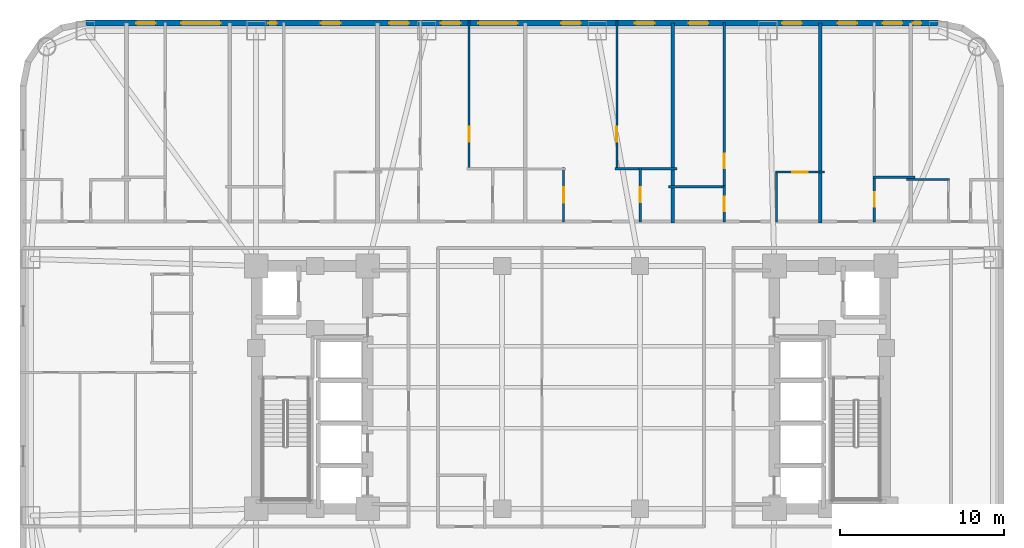
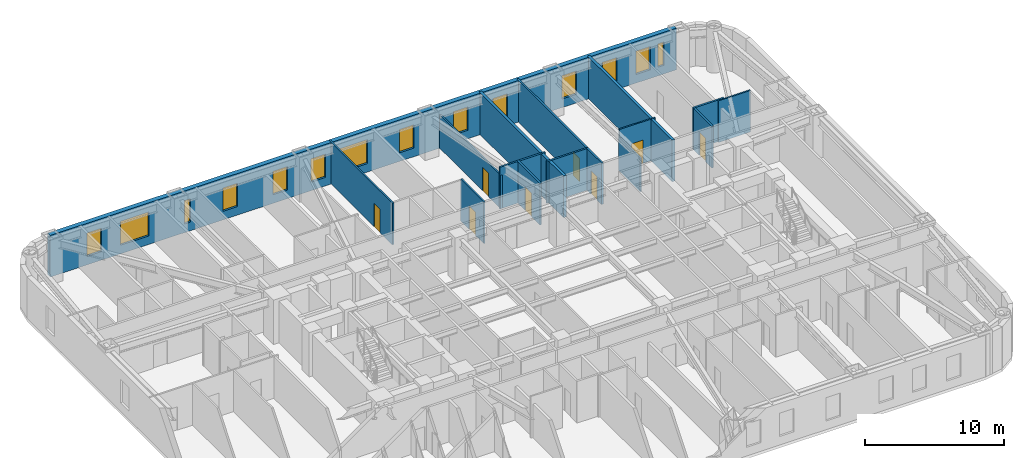
# One storey, part 8 of 11: 16 walls, 14 windows, 8 doors, 22 openings.
"""IFC4 building model written with IfcOpenShell, lengths in metres."""

import ifcopenshell
import ifcopenshell.guid

model = None  # the IFC model being written
_history = None  # IfcOwnerHistory: only IFC2X3 demands one
_inside = {}  # id of a spatial element -> (the spatial element, [elements in it])
_under = {}  # id of a project, library or spatial element -> (it, [spatial elements below it])
_declared = {}  # id of a project -> (the project, [libraries it declares])
_typed = {}  # id of a type object -> (the type object, [elements of that type])
_made_of = {}  # id of a material, layer set ... -> (it, [elements and type objects made of it])


def new_model(schema):
    """Start an empty IFC model of exactly this schema.

    Asked for "IFC4X3", IfcOpenShell would pick the latest addendum, in which some entities
    have other attributes; the version numbers below select the first issue.
    IFC2X3 requires an IfcOwnerHistory on every rooted entity: one is made here for all.
    """
    global model, _history
    if schema == "IFC4X3":
        model = ifcopenshell.file(schema_version=(4, 3, 0, 0))
    else:
        model = ifcopenshell.file(schema=schema)
    _inside.clear()
    _under.clear()
    _declared.clear()
    _typed.clear()
    _made_of.clear()
    _history = None
    if model.schema == "IFC2X3":
        org = make("IfcOrganization", Name="unknown")
        user = make(
            "IfcPersonAndOrganization",
            ThePerson=make("IfcPerson", FamilyName="unknown"),
            TheOrganization=org,
        )
        app = make(
            "IfcApplication",
            ApplicationDeveloper=org,
            Version="unknown",
            ApplicationFullName="unknown",
            ApplicationIdentifier="unknown",
        )
        _history = make(
            "IfcOwnerHistory",
            OwningUser=user,
            OwningApplication=app,
            ChangeAction="ADDED",
            CreationDate=0,
        )
    return model


def make(cls, **values):
    """One entity of the class cls with the attributes given. An attribute that is None is left unset."""
    return model.create_entity(
        cls, **{name: value for name, value in values.items() if value is not None}
    )


def rooted(cls, **values):
    """An entity with a GlobalId (a new one), such as an element, a storey or a relation."""
    return make(cls, GlobalId=ifcopenshell.guid.new(), OwnerHistory=_history, **values)


def si_unit(unit_type, name, prefix=None):
    """IfcSIUnit, for example si_unit("LENGTHUNIT", "METRE", prefix="MILLI")."""
    return make("IfcSIUnit", UnitType=unit_type, Prefix=prefix, Name=name)


def assignment(units):
    """IfcUnitAssignment: the units of a project."""
    return None if units is None else make("IfcUnitAssignment", Units=units)


def point(xyz):
    """IfcCartesianPoint."""
    return None if xyz is None else make("IfcCartesianPoint", Coordinates=xyz)


def direction(xyz):
    """IfcDirection."""
    return None if xyz is None else make("IfcDirection", DirectionRatios=xyz)


def frame(location, z_axis=None, x_axis=None):
    """IfcAxis2Placement3D, a coordinate frame: its origin and axes. An axis left out is left unset."""
    return make(
        "IfcAxis2Placement3D",
        Location=point(location),
        Axis=direction(z_axis),
        RefDirection=direction(x_axis),
    )


def frame_2d(location, x_axis=None):
    """IfcAxis2Placement2D, a coordinate frame in the plane: its origin and x axis."""
    return make(
        "IfcAxis2Placement2D", Location=point(location), RefDirection=direction(x_axis)
    )


def origin():
    """The frame at (0, 0, 0) with its axes left unset."""
    return frame((0.0, 0.0, 0.0))


def place(relative_to, where):
    """IfcLocalPlacement: puts the frame where relative to a parent placement (None: the world)."""
    return make(
        "IfcLocalPlacement", PlacementRelTo=relative_to, RelativePlacement=where
    )


def context(
    kind, dimensions, precision=None, world=None, true_north=None, identifier=None
):
    """IfcGeometricRepresentationContext, for example the 3D "Model" context."""
    return make(
        "IfcGeometricRepresentationContext",
        ContextIdentifier=identifier,
        ContextType=kind,
        CoordinateSpaceDimension=dimensions,
        Precision=precision,
        WorldCoordinateSystem=world,
        TrueNorth=true_north,
    )


def subcontext(parent, identifier, kind, view, scale=None):
    """IfcGeometricRepresentationSubContext, for example "Body" below "Model"."""
    return make(
        "IfcGeometricRepresentationSubContext",
        ContextIdentifier=identifier,
        ContextType=kind,
        ParentContext=parent,
        TargetScale=scale,
        TargetView=view,
    )


def project(units=None, contexts=None):
    """IfcProject with its units and contexts."""
    return rooted(
        "IfcProject",
        Name="project",
        RepresentationContexts=contexts,
        UnitsInContext=assignment(units),
    )


def spatial(cls, under=None, at=None, **own):
    """A site, building, storey or space (cls), placed at a placement, below another one or the project."""
    s = rooted(cls, ObjectPlacement=at, **own)
    if under is not None:
        _under.setdefault(under.id(), (under, []))[1].append(s)
    return s


def profile(cls, at=None, kind="AREA", **sizes):
    """A parametric profile (cls). Its sizes go by their IFC names, for example OverallWidth=200.0."""
    return make(cls, ProfileType=kind, Position=at, **sizes)


def rectangle(**sizes):
    """IfcRectangleProfileDef."""
    return profile("IfcRectangleProfileDef", **sizes)


def extrude(swept, where, along, depth):
    """IfcExtrudedAreaSolid: the profile swept, set in the frame where, extruded along a direction by depth."""
    return make(
        "IfcExtrudedAreaSolid",
        SweptArea=swept,
        Position=where,
        ExtrudedDirection=direction(along),
        Depth=depth,
    )


def shape(context_of_items, identifier, shape_type, items):
    """IfcShapeRepresentation: the items that make up one representation, for example the "Body"."""
    return make(
        "IfcShapeRepresentation",
        ContextOfItems=context_of_items,
        RepresentationIdentifier=identifier,
        RepresentationType=shape_type,
        Items=items,
    )


def material(Name=None, Category=None):
    """IfcMaterial."""
    return make("IfcMaterial", Name=Name, Category=Category)


def layer(
    of_material, thickness, ventilated=None, Name=None, Category=None, Priority=None
):
    """IfcMaterialLayer: one layer of a wall or slab, of a material (None: an air gap)."""
    return make(
        "IfcMaterialLayer",
        Material=of_material,
        LayerThickness=thickness,
        IsVentilated=ventilated,
        Name=Name,
        Category=Category,
        Priority=Priority,
    )


def layer_set(layers, Name=None):
    """IfcMaterialLayerSet."""
    return make("IfcMaterialLayerSet", MaterialLayers=layers, LayerSetName=Name)


def made_of(thing, what):
    """Note that an element or type object is made of a material, layer set ...; save() writes the relation."""
    if what is not None:
        _made_of.setdefault(what.id(), (what, []))[1].append(thing)
    return thing


def type_object(cls, material=None, **own):
    """A type object (cls), such as IfcWallType, which elements share."""
    return made_of(rooted(cls, **own), material)


def element(
    cls,
    number,
    at=None,
    inside=None,
    cuts=None,
    type_object=None,
    material=None,
    context=None,
    identifier="Body",
    shape_type=None,
    held_by="IfcProductDefinitionShape",
    body=None,
    shapes=None,
    **own,
):
    """One element of the class cls, such as IfcWall. Its Tag is "e" and its number.

    at: its placement. inside: the storey or other place that contains it. cuts: it is an
    opening in that element (IfcRelVoidsElement). A single representation is given by context,
    identifier, shape_type and body (its items); several are given by shapes. held_by: the class
    of the entity that holds the representations. save() writes the other relations.
    """
    e = rooted(cls, Tag="e%d" % number, ObjectPlacement=at, **own)
    if body is not None:
        shapes = [shape(context, identifier, shape_type, body)]
    if shapes is not None:
        e.Representation = make(held_by, Representations=shapes)
    if inside is not None:
        _inside.setdefault(inside.id(), (inside, []))[1].append(e)
    if cuts is not None:
        rooted(
            "IfcRelVoidsElement", RelatingBuildingElement=cuts, RelatedOpeningElement=e
        )
    if type_object is not None:
        _typed.setdefault(type_object.id(), (type_object, []))[1].append(e)
    return made_of(e, material)


def fill(opening, filler):
    """IfcRelFillsElement: the door or window that sits in an opening."""
    return rooted(
        "IfcRelFillsElement",
        RelatingOpeningElement=opening,
        RelatedBuildingElement=filler,
    )


def aggregate(whole, parts):
    """IfcRelAggregates: a whole, such as a stair, and the parts it consists of."""
    return rooted("IfcRelAggregates", RelatingObject=whole, RelatedObjects=parts)


def save(model, path):
    """Write the relations noted so far, then the file.

    IfcRelAggregates (storeys below a building ...), IfcRelContainedInSpatialStructure (elements
    in a storey), IfcRelDefinesByType, IfcRelAssociatesMaterial and IfcRelDeclares: one each for
    every whole, place, type object, material and project.
    """
    for whole, parts in _under.values():
        aggregate(whole, parts)
    for where, things in _inside.values():
        rooted(
            "IfcRelContainedInSpatialStructure",
            RelatedElements=things,
            RelatingStructure=where,
        )
    for kind, things in _typed.values():
        rooted("IfcRelDefinesByType", RelatedObjects=things, RelatingType=kind)
    for what, things in _made_of.values():
        rooted("IfcRelAssociatesMaterial", RelatedObjects=things, RelatingMaterial=what)
    for by, libraries in _declared.values():
        rooted("IfcRelDeclares", RelatingContext=by, RelatedDefinitions=libraries)
    model.write(path)


model = new_model("IFC4")

# Units and contexts
model_context = context("Model", 3, precision=1e-05, world=origin(), true_north=direction((0.0, 1.0)))
body_context = subcontext(model_context, "Body", "Model", "MODEL_VIEW")
ifc_project = project(units=[si_unit("LENGTHUNIT", "METRE"), si_unit("AREAUNIT", "SQUARE_METRE"), si_unit("VOLUMEUNIT", "CUBIC_METRE"), si_unit("PLANEANGLEUNIT", "RADIAN"), si_unit("MASSUNIT", "GRAM", prefix="KILO")], contexts=[model_context])

# Site, building, storey
site_placement = place(None, origin())
site = spatial("IfcSite", under=ifc_project, at=site_placement, CompositionType="ELEMENT")
building_placement = place(site_placement, origin())
building = spatial("IfcBuilding", under=site, at=building_placement, Name="Voryun Gate Residences", CompositionType="ELEMENT")
storey_placement = place(building_placement, frame((0.0, 0.0, 68.89990234375)))
storey = spatial("IfcBuildingStorey", under=building, at=storey_placement, Name="L16", CompositionType="ELEMENT", Elevation=68.89990234375)

# Wall, openings, windows
ifc_material_1 = material(Name="Granite masonry", Category="masonry")
ifc_layer_1 = layer(ifc_material_1, 0.3798828125, Name="W_EXT_GRANITE_380")
ifc_layer_set_1 = layer_set([ifc_layer_1], Name="Granite masonry")
wall_type_1 = type_object("IfcWallType", Name="W_EXT_GRANITE_380", PredefinedType="ELEMENTEDWALL", material=ifc_layer_set_1)
wall_1_placement = place(storey_placement, frame((-29.581298828125, 22.2099609375, 0.0), z_axis=(0.0, 0.0, 1.0), x_axis=(1.0, 0.0, 0.0)))
wall_1 = element("IfcWall", 1, at=wall_1_placement, inside=storey, type_object=wall_type_1, Name="Exterior wall WEXT-L16-11", PredefinedType="ELEMENTEDWALL", context=body_context, shape_type="SweptSolid", body=[
    extrude(rectangle(XDim=51.962646484375, YDim=0.3798828125, at=frame_2d((25.9814453125, 0.0))), origin(), (0.0, 0.0, 1.0), 3.650146484375),
])
opening_1_placement = place(wall_1_placement, frame((5.810302734375, 0.0, 0.75)))
opening_1 = element("IfcOpeningElement", 2, at=opening_1_placement, cuts=wall_1, Name="Opening WN2", PredefinedType="OPENING", context=body_context, shape_type="SweptSolid", body=[
    extrude(rectangle(XDim=2.39990234375, YDim=2.10009765625, at=frame_2d((1.199951171875, 1.050048828125))), frame((0.0, 0.199951171875, 0.0), z_axis=(0.0, -1.0, 0.0), x_axis=(1.0, 0.0, 0.0)), (0.0, 0.0, 1.0), 0.39990234375),
])
opening_2_placement = place(wall_1_placement, frame((23.931396484375, 0.0, 0.75)))
opening_2 = element("IfcOpeningElement", 3, at=opening_2_placement, cuts=wall_1, Name="Opening WN2", PredefinedType="OPENING", context=body_context, shape_type="SweptSolid", body=[
    extrude(rectangle(XDim=2.39990234375, YDim=2.10009765625, at=frame_2d((1.199951171875, 1.050048828125))), frame((0.0, 0.199951171875, 0.0), z_axis=(0.0, -1.0, 0.0), x_axis=(1.0, 0.0, 0.0)), (0.0, 0.0, 1.0), 0.39990234375),
])
opening_3_placement = place(wall_1_placement, frame((3.056396484375, 0.0, 0.75)))
opening_3 = element("IfcOpeningElement", 4, at=opening_3_placement, cuts=wall_1, Name="Opening WN6", PredefinedType="OPENING", context=body_context, shape_type="SweptSolid", body=[
    extrude(rectangle(XDim=1.199951171875, YDim=2.050048828125, at=frame_2d((0.60009765625, 1.02490234375))), frame((0.0, 0.199951171875, 0.0), z_axis=(0.0, -1.0, 0.0), x_axis=(1.0, 0.0, 0.0)), (0.0, 0.0, 1.0), 0.39990234375),
])
opening_4_placement = place(wall_1_placement, frame((11.127197265625, 0.0, 0.75)))
opening_4 = element("IfcOpeningElement", 5, at=opening_4_placement, cuts=wall_1, Name="Opening WN10", PredefinedType="OPENING", context=body_context, shape_type="SweptSolid", body=[
    extrude(rectangle(XDim=0.52001953125, YDim=2.050048828125, at=frame_2d((0.260009765625, 1.02490234375))), frame((0.0, 0.199951171875, 0.0), z_axis=(0.0, -1.0, 0.0), x_axis=(1.0, 0.0, 0.0)), (0.0, 0.0, 1.0), 0.39990234375),
])
opening_5_placement = place(wall_1_placement, frame((14.327392578125, 0.0, 0.75)))
opening_5 = element("IfcOpeningElement", 6, at=opening_5_placement, cuts=wall_1, Name="Opening WN6", PredefinedType="OPENING", context=body_context, shape_type="SweptSolid", body=[
    extrude(rectangle(XDim=1.199951171875, YDim=2.050048828125, at=frame_2d((0.60009765625, 1.02490234375))), frame((0.0, 0.199951171875, 0.0), z_axis=(0.0, -1.0, 0.0), x_axis=(1.0, 0.0, 0.0)), (0.0, 0.0, 1.0), 0.39990234375),
])
opening_6_placement = place(wall_1_placement, frame((21.641357421875, 0.0, 0.75)))
opening_6 = element("IfcOpeningElement", 7, at=opening_6_placement, cuts=wall_1, Name="Opening WN6", PredefinedType="OPENING", context=body_context, shape_type="SweptSolid", body=[
    extrude(rectangle(XDim=1.199951171875, YDim=2.050048828125, at=frame_2d((0.60009765625, 1.02490234375))), frame((0.0, 0.199951171875, 0.0), z_axis=(0.0, -1.0, 0.0), x_axis=(1.0, 0.0, 0.0)), (0.0, 0.0, 1.0), 0.39990234375),
])
opening_7_placement = place(wall_1_placement, frame((18.486328125, 0.0, 0.75)))
opening_7 = element("IfcOpeningElement", 8, at=opening_7_placement, cuts=wall_1, Name="Opening WN6", PredefinedType="OPENING", context=body_context, shape_type="SweptSolid", body=[
    extrude(rectangle(XDim=1.199951171875, YDim=2.050048828125, at=frame_2d((0.60009765625, 1.02490234375))), frame((0.0, 0.199951171875, 0.0), z_axis=(0.0, -1.0, 0.0), x_axis=(1.0, 0.0, 0.0)), (0.0, 0.0, 1.0), 0.39990234375),
])
opening_8_placement = place(wall_1_placement, frame((28.976318359375, 0.0, 0.75)))
opening_8 = element("IfcOpeningElement", 9, at=opening_8_placement, cuts=wall_1, Name="Opening WN6", PredefinedType="OPENING", context=body_context, shape_type="SweptSolid", body=[
    extrude(rectangle(XDim=1.199951171875, YDim=2.050048828125, at=frame_2d((0.60009765625, 1.02490234375))), frame((0.0, 0.199951171875, 0.0), z_axis=(0.0, -1.0, 0.0), x_axis=(1.0, 0.0, 0.0)), (0.0, 0.0, 1.0), 0.39990234375),
])
opening_9_placement = place(wall_1_placement, frame((33.476318359375, 0.0, 0.75)))
opening_9 = element("IfcOpeningElement", 10, at=opening_9_placement, cuts=wall_1, Name="Opening WN6", PredefinedType="OPENING", context=body_context, shape_type="SweptSolid", body=[
    extrude(rectangle(XDim=1.199951171875, YDim=2.050048828125, at=frame_2d((0.60009765625, 1.02490234375))), frame((0.0, 0.199951171875, 0.0), z_axis=(0.0, -1.0, 0.0), x_axis=(1.0, 0.0, 0.0)), (0.0, 0.0, 1.0), 0.39990234375),
])
opening_10_placement = place(wall_1_placement, frame((36.751708984375, 0.0, 0.75)))
opening_10 = element("IfcOpeningElement", 11, at=opening_10_placement, cuts=wall_1, Name="Opening WN6", PredefinedType="OPENING", context=body_context, shape_type="SweptSolid", body=[
    extrude(rectangle(XDim=1.199951171875, YDim=2.050048828125, at=frame_2d((0.60009765625, 1.02490234375))), frame((0.0, 0.199951171875, 0.0), z_axis=(0.0, -1.0, 0.0), x_axis=(1.0, 0.0, 0.0)), (0.0, 0.0, 1.0), 0.39990234375),
])
opening_11_placement = place(wall_1_placement, frame((42.451904296875, 0.0, 0.75)))
opening_11 = element("IfcOpeningElement", 12, at=opening_11_placement, cuts=wall_1, Name="Opening WN6", PredefinedType="OPENING", context=body_context, shape_type="SweptSolid", body=[
    extrude(rectangle(XDim=1.199951171875, YDim=2.050048828125, at=frame_2d((0.60009765625, 1.02490234375))), frame((0.0, 0.199951171875, 0.0), z_axis=(0.0, -1.0, 0.0), x_axis=(1.0, 0.0, 0.0)), (0.0, 0.0, 1.0), 0.39990234375),
])
opening_12_placement = place(wall_1_placement, frame((45.830810546875, 0.0, 0.75)))
opening_12 = element("IfcOpeningElement", 13, at=opening_12_placement, cuts=wall_1, Name="Opening WN6", PredefinedType="OPENING", context=body_context, shape_type="SweptSolid", body=[
    extrude(rectangle(XDim=1.199951171875, YDim=2.050048828125, at=frame_2d((0.60009765625, 1.02490234375))), frame((0.0, 0.199951171875, 0.0), z_axis=(0.0, -1.0, 0.0), x_axis=(1.0, 0.0, 0.0)), (0.0, 0.0, 1.0), 0.39990234375),
])
opening_13_placement = place(wall_1_placement, frame((48.585205078125, 0.0, 0.75)))
opening_13 = element("IfcOpeningElement", 14, at=opening_13_placement, cuts=wall_1, Name="Opening WN6", PredefinedType="OPENING", context=body_context, shape_type="SweptSolid", body=[
    extrude(rectangle(XDim=1.199951171875, YDim=2.050048828125, at=frame_2d((0.60009765625, 1.02490234375))), frame((0.0, 0.199951171875, 0.0), z_axis=(0.0, -1.0, 0.0), x_axis=(1.0, 0.0, 0.0)), (0.0, 0.0, 1.0), 0.39990234375),
])
opening_14_placement = place(wall_1_placement, frame((50.42138671875, 0.0, 0.75)))
opening_14 = element("IfcOpeningElement", 15, at=opening_14_placement, cuts=wall_1, Name="Opening WN10", PredefinedType="OPENING", context=body_context, shape_type="SweptSolid", body=[
    extrude(rectangle(XDim=0.52001953125, YDim=2.050048828125, at=frame_2d((0.260009765625, 1.02490234375))), frame((0.0, 0.199951171875, 0.0), z_axis=(0.0, -1.0, 0.0), x_axis=(1.0, 0.0, 0.0)), (0.0, 0.0, 1.0), 0.39990234375),
])
ifc_material_2 = material(Name="Laminated low-E glass", Category="glass")
window_type_1 = type_object("IfcWindowType", Name="WN_PAGODA_LANCET_520", PartitioningType="SINGLE_PANEL", PredefinedType="WINDOW", material=ifc_material_2)
window_1_placement = place(opening_4_placement, origin())
window_1 = element("IfcWindow", 16, at=window_1_placement, inside=storey, type_object=window_type_1, Name="Window WN-L16-DWFIX-03", OverallHeight=2.050048828125, OverallWidth=0.52001953125, PartitioningType="SINGLE_PANEL", PredefinedType="WINDOW", context=body_context, shape_type="SweptSolid", body=[
    extrude(rectangle(XDim=0.52001953125, YDim=2.050048828125, at=frame_2d((0.260009765625, 1.02490234375))), frame((0.0, 0.030029296875, 0.0), z_axis=(0.0, -1.0, 0.0), x_axis=(1.0, 0.0, 0.0)), (0.0, 0.0, 1.0), 0.06005859375),
])
fill(opening_4, window_1)
window_2_placement = place(opening_14_placement, origin())
window_2 = element("IfcWindow", 17, at=window_2_placement, inside=storey, type_object=window_type_1, Name="Window WN-L16-DWFIX-13", OverallHeight=2.050048828125, OverallWidth=0.52001953125, PartitioningType="SINGLE_PANEL", PredefinedType="WINDOW", context=body_context, shape_type="SweptSolid", body=[
    extrude(rectangle(XDim=0.52001953125, YDim=2.050048828125, at=frame_2d((0.260009765625, 1.02490234375))), frame((0.0, 0.030029296875, 0.0), z_axis=(0.0, -1.0, 0.0), x_axis=(1.0, 0.0, 0.0)), (0.0, 0.0, 1.0), 0.06005859375),
])
fill(opening_14, window_2)
ifc_material_3 = material(Name="Laminated low-E glass", Category="glass")
window_type_2 = type_object("IfcWindowType", Name="WN_POD_SLOT_1200", PartitioningType="SINGLE_PANEL", PredefinedType="WINDOW", material=ifc_material_3)
window_3_placement = place(opening_3_placement, origin())
window_3 = element("IfcWindow", 18, at=window_3_placement, inside=storey, type_object=window_type_2, Name="Window WN-L16-DWFIX-02", OverallHeight=2.050048828125, OverallWidth=1.199951171875, PartitioningType="SINGLE_PANEL", PredefinedType="WINDOW", context=body_context, shape_type="SweptSolid", body=[
    extrude(rectangle(XDim=1.199951171875, YDim=2.050048828125, at=frame_2d((0.60009765625, 1.02490234375))), frame((0.0, 0.030029296875, 0.0), z_axis=(0.0, -1.0, 0.0), x_axis=(1.0, 0.0, 0.0)), (0.0, 0.0, 1.0), 0.06005859375),
])
fill(opening_3, window_3)
window_4_placement = place(opening_5_placement, origin())
window_4 = element("IfcWindow", 19, at=window_4_placement, inside=storey, type_object=window_type_2, Name="Window WN-L16-DWFIX-04", OverallHeight=2.050048828125, OverallWidth=1.199951171875, PartitioningType="SINGLE_PANEL", PredefinedType="WINDOW", context=body_context, shape_type="SweptSolid", body=[
    extrude(rectangle(XDim=1.199951171875, YDim=2.050048828125, at=frame_2d((0.60009765625, 1.02490234375))), frame((0.0, 0.030029296875, 0.0), z_axis=(0.0, -1.0, 0.0), x_axis=(1.0, 0.0, 0.0)), (0.0, 0.0, 1.0), 0.06005859375),
])
fill(opening_5, window_4)
window_5_placement = place(opening_6_placement, origin())
window_5 = element("IfcWindow", 20, at=window_5_placement, inside=storey, type_object=window_type_2, Name="Window WN-L16-DWFIX-05", OverallHeight=2.050048828125, OverallWidth=1.199951171875, PartitioningType="SINGLE_PANEL", PredefinedType="WINDOW", context=body_context, shape_type="SweptSolid", body=[
    extrude(rectangle(XDim=1.199951171875, YDim=2.050048828125, at=frame_2d((0.60009765625, 1.02490234375))), frame((0.0, 0.030029296875, 0.0), z_axis=(0.0, -1.0, 0.0), x_axis=(1.0, 0.0, 0.0)), (0.0, 0.0, 1.0), 0.06005859375),
])
fill(opening_6, window_5)
window_6_placement = place(opening_7_placement, origin())
window_6 = element("IfcWindow", 21, at=window_6_placement, inside=storey, type_object=window_type_2, Name="Window WN-L16-DWFIX-06", OverallHeight=2.050048828125, OverallWidth=1.199951171875, PartitioningType="SINGLE_PANEL", PredefinedType="WINDOW", context=body_context, shape_type="SweptSolid", body=[
    extrude(rectangle(XDim=1.199951171875, YDim=2.050048828125, at=frame_2d((0.60009765625, 1.02490234375))), frame((0.0, 0.030029296875, 0.0), z_axis=(0.0, -1.0, 0.0), x_axis=(1.0, 0.0, 0.0)), (0.0, 0.0, 1.0), 0.06005859375),
])
fill(opening_7, window_6)
window_7_placement = place(opening_8_placement, origin())
window_7 = element("IfcWindow", 22, at=window_7_placement, inside=storey, type_object=window_type_2, Name="Window WN-L16-DWFIX-07", OverallHeight=2.050048828125, OverallWidth=1.199951171875, PartitioningType="SINGLE_PANEL", PredefinedType="WINDOW", context=body_context, shape_type="SweptSolid", body=[
    extrude(rectangle(XDim=1.199951171875, YDim=2.050048828125, at=frame_2d((0.60009765625, 1.02490234375))), frame((0.0, 0.030029296875, 0.0), z_axis=(0.0, -1.0, 0.0), x_axis=(1.0, 0.0, 0.0)), (0.0, 0.0, 1.0), 0.06005859375),
])
fill(opening_8, window_7)
window_8_placement = place(opening_9_placement, origin())
window_8 = element("IfcWindow", 23, at=window_8_placement, inside=storey, type_object=window_type_2, Name="Window WN-L16-DWFIX-08", OverallHeight=2.050048828125, OverallWidth=1.199951171875, PartitioningType="SINGLE_PANEL", PredefinedType="WINDOW", context=body_context, shape_type="SweptSolid", body=[
    extrude(rectangle(XDim=1.199951171875, YDim=2.050048828125, at=frame_2d((0.60009765625, 1.02490234375))), frame((0.0, 0.030029296875, 0.0), z_axis=(0.0, -1.0, 0.0), x_axis=(1.0, 0.0, 0.0)), (0.0, 0.0, 1.0), 0.06005859375),
])
fill(opening_9, window_8)
window_9_placement = place(opening_10_placement, origin())
window_9 = element("IfcWindow", 24, at=window_9_placement, inside=storey, type_object=window_type_2, Name="Window WN-L16-DWFIX-09", OverallHeight=2.050048828125, OverallWidth=1.199951171875, PartitioningType="SINGLE_PANEL", PredefinedType="WINDOW", context=body_context, shape_type="SweptSolid", body=[
    extrude(rectangle(XDim=1.199951171875, YDim=2.050048828125, at=frame_2d((0.60009765625, 1.02490234375))), frame((0.0, 0.030029296875, 0.0), z_axis=(0.0, -1.0, 0.0), x_axis=(1.0, 0.0, 0.0)), (0.0, 0.0, 1.0), 0.06005859375),
])
fill(opening_10, window_9)
window_10_placement = place(opening_11_placement, origin())
window_10 = element("IfcWindow", 25, at=window_10_placement, inside=storey, type_object=window_type_2, Name="Window WN-L16-DWFIX-10", OverallHeight=2.050048828125, OverallWidth=1.199951171875, PartitioningType="SINGLE_PANEL", PredefinedType="WINDOW", context=body_context, shape_type="SweptSolid", body=[
    extrude(rectangle(XDim=1.199951171875, YDim=2.050048828125, at=frame_2d((0.60009765625, 1.02490234375))), frame((0.0, 0.030029296875, 0.0), z_axis=(0.0, -1.0, 0.0), x_axis=(1.0, 0.0, 0.0)), (0.0, 0.0, 1.0), 0.06005859375),
])
fill(opening_11, window_10)
window_11_placement = place(opening_12_placement, origin())
window_11 = element("IfcWindow", 26, at=window_11_placement, inside=storey, type_object=window_type_2, Name="Window WN-L16-DWFIX-11", OverallHeight=2.050048828125, OverallWidth=1.199951171875, PartitioningType="SINGLE_PANEL", PredefinedType="WINDOW", context=body_context, shape_type="SweptSolid", body=[
    extrude(rectangle(XDim=1.199951171875, YDim=2.050048828125, at=frame_2d((0.60009765625, 1.02490234375))), frame((0.0, 0.030029296875, 0.0), z_axis=(0.0, -1.0, 0.0), x_axis=(1.0, 0.0, 0.0)), (0.0, 0.0, 1.0), 0.06005859375),
])
fill(opening_12, window_11)
window_12_placement = place(opening_13_placement, origin())
window_12 = element("IfcWindow", 27, at=window_12_placement, inside=storey, type_object=window_type_2, Name="Window WN-L16-DWFIX-12", OverallHeight=2.050048828125, OverallWidth=1.199951171875, PartitioningType="SINGLE_PANEL", PredefinedType="WINDOW", context=body_context, shape_type="SweptSolid", body=[
    extrude(rectangle(XDim=1.199951171875, YDim=2.050048828125, at=frame_2d((0.60009765625, 1.02490234375))), frame((0.0, 0.030029296875, 0.0), z_axis=(0.0, -1.0, 0.0), x_axis=(1.0, 0.0, 0.0)), (0.0, 0.0, 1.0), 0.06005859375),
])
fill(opening_13, window_12)
ifc_material_4 = material(Name="Laminated low-E glass", Category="glass")
window_type_3 = type_object("IfcWindowType", Name="WN_RES_WIDE_2400", PartitioningType="SINGLE_PANEL", PredefinedType="WINDOW", material=ifc_material_4)
window_13_placement = place(opening_1_placement, origin())
window_13 = element("IfcWindow", 28, at=window_13_placement, inside=storey, type_object=window_type_3, Name="Window WN-WEXT-L16-11-01", OverallHeight=2.10009765625, OverallWidth=2.39990234375, PartitioningType="SINGLE_PANEL", PredefinedType="WINDOW", context=body_context, shape_type="SweptSolid", body=[
    extrude(rectangle(XDim=2.39990234375, YDim=2.10009765625, at=frame_2d((1.199951171875, 1.050048828125))), frame((0.0, 0.030029296875, 0.0), z_axis=(0.0, -1.0, 0.0), x_axis=(1.0, 0.0, 0.0)), (0.0, 0.0, 1.0), 0.06005859375),
])
fill(opening_1, window_13)
window_14_placement = place(opening_2_placement, origin())
window_14 = element("IfcWindow", 29, at=window_14_placement, inside=storey, type_object=window_type_3, Name="Window WN-WEXT-L16-11-02", OverallHeight=2.10009765625, OverallWidth=2.39990234375, PartitioningType="SINGLE_PANEL", PredefinedType="WINDOW", context=body_context, shape_type="SweptSolid", body=[
    extrude(rectangle(XDim=2.39990234375, YDim=2.10009765625, at=frame_2d((1.199951171875, 1.050048828125))), frame((0.0, 0.030029296875, 0.0), z_axis=(0.0, -1.0, 0.0), x_axis=(1.0, 0.0, 0.0)), (0.0, 0.0, 1.0), 0.06005859375),
])
fill(opening_2, window_14)

# Walls
ifc_material_5 = material(Name="Concrete C40/50", Category="concrete")
ifc_layer_2 = layer(ifc_material_5, 0.219970703125, Name="W_PARTY_ACOUSTIC_220")
ifc_layer_set_2 = layer_set([ifc_layer_2], Name="Concrete C40/50")
wall_type_2 = type_object("IfcWallType", Name="W_PARTY_ACOUSTIC_220", PredefinedType="PARTITIONING", material=ifc_layer_set_2)
for number, where, z_axis, x_axis, name in (
    (30, (6.199951171875, 10.02001953125, 0.0), (0.0, 0.0, 1.0), (0.0, 1.0, 0.0), "Partition wall WP-L16-NPTY-5"),
    (31, (15.199951171875, 10.02001953125, 0.0), (0.0, 0.0, 1.0), (0.0, 1.0, 0.0), "Partition wall WP-L16-NPTY-6"),
):
    element("IfcWall", number, at=place(storey_placement, frame(where, z_axis=z_axis, x_axis=x_axis)), inside=storey, type_object=wall_type_2, Name=name, PredefinedType="PARTITIONING", context=body_context, shape_type="SweptSolid", body=[
        extrude(rectangle(XDim=12.18994140625, YDim=0.219970703125, at=frame_2d((6.094970703125, 0.0))), origin(), (0.0, 0.0, 1.0), 3.650146484375),
    ])

# Wall, opening, door
ifc_material_6 = material(Name="Gypsum acoustic partition")
ifc_layer_3 = layer(ifc_material_6, 0.125, Name="W_UNIT_PART_125")
ifc_layer_set_3 = layer_set([ifc_layer_3], Name="Gypsum acoustic partition")
wall_type_3 = type_object("IfcWallType", Name="W_UNIT_PART_125", PredefinedType="PARTITIONING", material=ifc_layer_set_3)
wall_2_placement = place(storey_placement, frame((-6.2099609375, 13.239990234375, 0.0), z_axis=(0.0, 0.0, 1.0), x_axis=(0.0, 1.0, 0.0)))
wall_2 = element("IfcWall", 32, at=wall_2_placement, inside=storey, type_object=wall_type_3, Name="Partition wall WP-L16-N4-OVR", PredefinedType="PARTITIONING", context=body_context, shape_type="SweptSolid", body=[
    extrude(rectangle(XDim=9.1201171875, YDim=0.125, at=frame_2d((4.56005859375, 0.0))), origin(), (0.0, 0.0, 1.0), 3.650146484375),
])
opening_15_placement = place(wall_2_placement, frame((1.73876953125, 0.0, 0.0)))
opening_15 = element("IfcOpeningElement", 33, at=opening_15_placement, cuts=wall_2, Name="Opening D-INT-2", PredefinedType="OPENING", context=body_context, shape_type="SweptSolid", body=[
    extrude(rectangle(XDim=0.89990234375, YDim=2.050048828125, at=frame_2d((0.449951171875, 1.02490234375))), frame((0.0, 0.072509765625, 0.0), z_axis=(0.0, -1.0, 0.0), x_axis=(1.0, 0.0, 0.0)), (0.0, 0.0, 1.0), 0.14501953125),
])
ifc_material_7 = material(Name="Architectural oak veneer")
door_type_1 = type_object("IfcDoorType", Name="DR_INT_BATH_900", OperationType="NOTDEFINED", PredefinedType="DOOR", material=ifc_material_7)
door_1_placement = place(opening_15_placement, origin())
door_1 = element("IfcDoor", 34, at=door_1_placement, inside=storey, type_object=door_type_1, Name="Door DR-L16-N4-DMB", OperationType="SINGLE_SWING_RIGHT", OverallHeight=2.050048828125, OverallWidth=0.89990234375, PredefinedType="DOOR", context=body_context, shape_type="SweptSolid", body=[
    extrude(rectangle(XDim=0.89990234375, YDim=2.050048828125, at=frame_2d((0.449951171875, 1.02490234375))), frame((0.0, 0.02490234375, 0.0), z_axis=(0.0, -1.0, 0.0), x_axis=(1.0, 0.0, 0.0)), (0.0, 0.0, 1.0), 0.050048828125),
])
fill(opening_15, door_1)

wall_3_placement = place(storey_placement, frame((2.7900390625, 13.239990234375, 0.0), z_axis=(0.0, 0.0, 1.0), x_axis=(0.0, 1.0, 0.0)))
wall_3 = element("IfcWall", 35, at=wall_3_placement, inside=storey, type_object=wall_type_3, Name="Partition wall WP-L16-N5-OVR", PredefinedType="PARTITIONING", context=body_context, shape_type="SweptSolid", body=[
    extrude(rectangle(XDim=9.1201171875, YDim=0.125, at=frame_2d((4.56005859375, 0.0))), origin(), (0.0, 0.0, 1.0), 2.940185546875),
])
opening_16_placement = place(wall_3_placement, frame((1.73876953125, 0.0, 0.0)))
opening_16 = element("IfcOpeningElement", 36, at=opening_16_placement, cuts=wall_3, Name="Opening D-INT-2", PredefinedType="OPENING", context=body_context, shape_type="SweptSolid", body=[
    extrude(rectangle(XDim=0.89990234375, YDim=2.050048828125, at=frame_2d((0.449951171875, 1.02490234375))), frame((0.0, 0.072509765625, 0.0), z_axis=(0.0, -1.0, 0.0), x_axis=(1.0, 0.0, 0.0)), (0.0, 0.0, 1.0), 0.14501953125),
])
door_2_placement = place(opening_16_placement, origin())
door_2 = element("IfcDoor", 37, at=door_2_placement, inside=storey, type_object=door_type_1, Name="Door DR-L16-N5-DMB", OperationType="SINGLE_SWING_RIGHT", OverallHeight=2.050048828125, OverallWidth=0.89990234375, PredefinedType="DOOR", context=body_context, shape_type="SweptSolid", body=[
    extrude(rectangle(XDim=0.89990234375, YDim=2.050048828125, at=frame_2d((0.449951171875, 1.02490234375))), frame((0.0, 0.02490234375, 0.0), z_axis=(0.0, -1.0, 0.0), x_axis=(1.0, 0.0, 0.0)), (0.0, 0.0, 1.0), 0.050048828125),
])
fill(opening_16, door_2)

wall_4_placement = place(storey_placement, frame((-0.448974609375, 10.080078125, 0.0), z_axis=(0.0, 0.0, 1.0), x_axis=(0.0, 1.0, 0.0)))
wall_4 = element("IfcWall", 38, at=wall_4_placement, inside=storey, type_object=wall_type_3, Name="Partition wall WP-L16-N5-IVK", PredefinedType="PARTITIONING", context=body_context, shape_type="SweptSolid", body=[
    extrude(rectangle(XDim=3.31982421875, YDim=0.125, at=frame_2d((1.659912109375, 0.0))), origin(), (0.0, 0.0, 1.0), 3.650146484375),
])
opening_17_placement = place(wall_4_placement, frame((1.18505859375, 0.0, 0.0)))
opening_17 = element("IfcOpeningElement", 39, at=opening_17_placement, cuts=wall_4, Name="Opening D-INT-1", PredefinedType="OPENING", context=body_context, shape_type="SweptSolid", body=[
    extrude(rectangle(XDim=0.949951171875, YDim=2.050048828125, at=frame_2d((0.47509765625, 1.02490234375))), frame((0.0, 0.072509765625, 0.0), z_axis=(0.0, -1.0, 0.0), x_axis=(1.0, 0.0, 0.0)), (0.0, 0.0, 1.0), 0.14501953125),
])
ifc_material_8 = material(Name="Architectural oak veneer")
door_type_2 = type_object("IfcDoorType", Name="DR_INT_ROOM_950", OperationType="NOTDEFINED", PredefinedType="DOOR", material=ifc_material_8)
door_3_placement = place(opening_17_placement, origin())
door_3 = element("IfcDoor", 40, at=door_3_placement, inside=storey, type_object=door_type_2, Name="Door DR-L16-N5-DK", OperationType="SINGLE_SWING_LEFT", OverallHeight=2.050048828125, OverallWidth=0.949951171875, PredefinedType="DOOR", context=body_context, shape_type="SweptSolid", body=[
    extrude(rectangle(XDim=0.949951171875, YDim=2.050048828125, at=frame_2d((0.47509765625, 1.02490234375))), frame((0.0, 0.02490234375, 0.0), z_axis=(0.0, -1.0, 0.0), x_axis=(1.0, 0.0, 0.0)), (0.0, 0.0, 1.0), 0.050048828125),
])
fill(opening_17, door_3)

wall_5_placement = place(storey_placement, frame((12.469970703125, 13.1201171875, 0.0), z_axis=(0.0, 0.0, 1.0), x_axis=(1.0, 0.0, 0.0)))
wall_5 = element("IfcWall", 41, at=wall_5_placement, inside=storey, type_object=wall_type_3, Name="Partition wall WP-L16-N6-KHY", PredefinedType="PARTITIONING", context=body_context, shape_type="SweptSolid", body=[
    extrude(rectangle(XDim=2.989990234375, YDim=0.125, at=frame_2d((1.4951171875, 0.0))), origin(), (0.0, 0.0, 1.0), 3.650146484375),
])
opening_18_placement = place(wall_5_placement, frame((1.02001953125, 0.0, 0.0)))
opening_18 = element("IfcOpeningElement", 42, at=opening_18_placement, cuts=wall_5, Name="Opening D-INT-1", PredefinedType="OPENING", context=body_context, shape_type="SweptSolid", body=[
    extrude(rectangle(XDim=0.949951171875, YDim=2.050048828125, at=frame_2d((0.47509765625, 1.02490234375))), frame((0.0, 0.072509765625, 0.0), z_axis=(0.0, -1.0, 0.0), x_axis=(1.0, 0.0, 0.0)), (0.0, 0.0, 1.0), 0.14501953125),
])
door_4_placement = place(opening_18_placement, origin())
door_4 = element("IfcDoor", 43, at=door_4_placement, inside=storey, type_object=door_type_2, Name="Door DR-L16-N6-DK", OperationType="SINGLE_SWING_LEFT", OverallHeight=2.050048828125, OverallWidth=0.949951171875, PredefinedType="DOOR", context=body_context, shape_type="SweptSolid", body=[
    extrude(rectangle(XDim=0.949951171875, YDim=2.050048828125, at=frame_2d((0.47509765625, 1.02490234375))), frame((0.0, 0.02490234375, 0.0), z_axis=(0.0, -1.0, 0.0), x_axis=(1.0, 0.0, 0.0)), (0.0, 0.0, 1.0), 0.050048828125),
])
fill(opening_18, door_4)

# Walls
wall_6_placement = place(storey_placement, frame((12.530029296875, 10.080078125, 0.0), z_axis=(0.0, 0.0, 1.0), x_axis=(0.0, 1.0, 0.0)))
element("IfcWall", 44, at=wall_6_placement, inside=storey, type_object=wall_type_3, Name="Partition wall WP-L16-N6-KVX", PredefinedType="PARTITIONING", context=body_context, shape_type="SweptSolid", body=[
    extrude(rectangle(XDim=3.099853515625, YDim=0.125, at=frame_2d((1.5498046875, 0.0))), origin(), (0.0, 0.0, 1.0), 2.940185546875),
])
wall_7_placement = place(storey_placement, frame((20.448974609375, 12.669921875, 0.0), z_axis=(0.0, 0.0, 1.0), x_axis=(1.0, 0.0, 0.0)))
element("IfcWall", 45, at=wall_7_placement, inside=storey, type_object=wall_type_3, Name="Partition wall WP-L16-N8-CHK", PredefinedType="PARTITIONING", context=body_context, shape_type="SweptSolid", body=[
    extrude(rectangle(XDim=2.630126953125, YDim=0.125, at=frame_2d((1.31494140625, 0.0))), origin(), (0.0, 0.0, 1.0), 3.650146484375),
])
ifc_material_9 = material(Name="Gypsum moisture-resistant partition")
ifc_layer_4 = layer(ifc_material_9, 0.14990234375, Name="W_WET_PLUMB_150")
ifc_layer_set_4 = layer_set([ifc_layer_4], Name="Gypsum moisture-resistant partition")
wall_type_4 = type_object("IfcWallType", Name="W_WET_PLUMB_150", PredefinedType="PLUMBINGWALL", material=ifc_layer_set_4)
wall_8_placement = place(storey_placement, frame((2.669921875, 13.320068359375, 0.0), z_axis=(0.0, 0.0, 1.0), x_axis=(1.0, 0.0, 0.0)))
element("IfcWall", 46, at=wall_8_placement, inside=storey, type_object=wall_type_4, Name="Partition wall WP-L16-N5-HZB", PredefinedType="PLUMBINGWALL", context=body_context, shape_type="SweptSolid", body=[
    extrude(rectangle(XDim=3.7900390625, YDim=0.14990234375, at=frame_2d((1.89501953125, 0.0))), origin(), (0.0, 0.0, 1.0), 3.650146484375),
])

# Wall, opening, door
wall_9_placement = place(storey_placement, frame((4.219970703125, 10.080078125, 0.0), z_axis=(0.0, 0.0, 1.0), x_axis=(0.0, 1.0, 0.0)))
wall_9 = element("IfcWall", 47, at=wall_9_placement, inside=storey, type_object=wall_type_4, Name="Partition wall WP-L16-N5-IVB", PredefinedType="PLUMBINGWALL", context=body_context, shape_type="SweptSolid", body=[
    extrude(rectangle(XDim=3.31982421875, YDim=0.14990234375, at=frame_2d((1.659912109375, 0.0))), origin(), (0.0, 0.0, 1.0), 3.650146484375),
])
opening_19_placement = place(wall_9_placement, frame((1.2099609375, 0.0, 0.0)))
opening_19 = element("IfcOpeningElement", 48, at=opening_19_placement, cuts=wall_9, Name="Opening D-INT-2", PredefinedType="OPENING", context=body_context, shape_type="SweptSolid", body=[
    extrude(rectangle(XDim=0.89990234375, YDim=2.050048828125, at=frame_2d((0.449951171875, 1.02490234375))), frame((0.0, 0.0849609375, 0.0), z_axis=(0.0, -1.0, 0.0), x_axis=(1.0, 0.0, 0.0)), (0.0, 0.0, 1.0), 0.169921875),
])
door_5_placement = place(opening_19_placement, origin())
door_5 = element("IfcDoor", 49, at=door_5_placement, inside=storey, type_object=door_type_1, Name="Door DR-L16-N5-DB", OperationType="SINGLE_SWING_RIGHT", OverallHeight=2.050048828125, OverallWidth=0.89990234375, PredefinedType="DOOR", context=body_context, shape_type="SweptSolid", body=[
    extrude(rectangle(XDim=0.89990234375, YDim=2.050048828125, at=frame_2d((0.449951171875, 1.02490234375))), frame((0.0, 0.02490234375, 0.0), z_axis=(0.0, -1.0, 0.0), x_axis=(1.0, 0.0, 0.0)), (0.0, 0.0, 1.0), 0.050048828125),
])
fill(opening_19, door_5)

# Wall
wall_10_placement = place(storey_placement, frame((5.93994140625, 12.239990234375, 0.0), z_axis=(0.0, 0.0, 1.0), x_axis=(1.0, 0.0, 0.0)))
element("IfcWall", 50, at=wall_10_placement, inside=storey, type_object=wall_type_4, Name="Partition wall WP-L16-N6-LHY", PredefinedType="PLUMBINGWALL", context=body_context, shape_type="SweptSolid", body=[
    extrude(rectangle(XDim=3.48095703125, YDim=0.14990234375, at=frame_2d((1.740478515625, 0.0))), origin(), (0.0, 0.0, 1.0), 3.650146484375),
])

# Wall, opening, door
wall_11_placement = place(storey_placement, frame((9.341064453125, 10.080078125, 0.0), z_axis=(0.0, 0.0, 1.0), x_axis=(0.0, 1.0, 0.0)))
wall_11 = element("IfcWall", 51, at=wall_11_placement, inside=storey, type_object=wall_type_4, Name="Partition wall WP-L16-N6-LVX1", PredefinedType="PLUMBINGWALL", context=body_context, shape_type="SweptSolid", body=[
    extrude(rectangle(XDim=2.199951171875, YDim=0.14990234375, at=frame_2d((1.10009765625, 0.0))), origin(), (0.0, 0.0, 1.0), 3.650146484375),
])
opening_20_placement = place(wall_11_placement, frame((0.64990234375, 0.0, 0.0)))
opening_20 = element("IfcOpeningElement", 52, at=opening_20_placement, cuts=wall_11, Name="Opening D-INT-2", PredefinedType="OPENING", context=body_context, shape_type="SweptSolid", body=[
    extrude(rectangle(XDim=0.89990234375, YDim=2.050048828125, at=frame_2d((0.449951171875, 1.02490234375))), frame((0.0, 0.0849609375, 0.0), z_axis=(0.0, -1.0, 0.0), x_axis=(1.0, 0.0, 0.0)), (0.0, 0.0, 1.0), 0.169921875),
])
door_6_placement = place(opening_20_placement, origin())
door_6 = element("IfcDoor", 53, at=door_6_placement, inside=storey, type_object=door_type_1, Name="Door DR-L16-N6-DB", OperationType="SINGLE_SWING_LEFT", OverallHeight=2.050048828125, OverallWidth=0.89990234375, PredefinedType="DOOR", context=body_context, shape_type="SweptSolid", body=[
    extrude(rectangle(XDim=0.89990234375, YDim=2.050048828125, at=frame_2d((0.449951171875, 1.02490234375))), frame((0.0, 0.02490234375, 0.0), z_axis=(0.0, -1.0, 0.0), x_axis=(1.0, 0.0, 0.0)), (0.0, 0.0, 1.0), 0.050048828125),
])
fill(opening_20, door_6)

wall_12_placement = place(storey_placement, frame((9.341064453125, 12.199951171875, 0.0), z_axis=(0.0, 0.0, 1.0), x_axis=(0.0, 1.0, 0.0)))
wall_12 = element("IfcWall", 54, at=wall_12_placement, inside=storey, type_object=wall_type_4, Name="Partition wall WP-L16-N6-LVX2", PredefinedType="PLUMBINGWALL", context=body_context, shape_type="SweptSolid", body=[
    extrude(rectangle(XDim=10.0576171875, YDim=0.14990234375, at=frame_2d((5.02880859375, 0.0))), origin(), (0.0, 0.0, 1.0), 3.650146484375),
])
opening_21_placement = place(wall_12_placement, frame((1.1591796875, 0.0, 0.0)))
opening_21 = element("IfcOpeningElement", 55, at=opening_21_placement, cuts=wall_12, Name="Opening D-INT-2", PredefinedType="OPENING", context=body_context, shape_type="SweptSolid", body=[
    extrude(rectangle(XDim=0.89990234375, YDim=2.050048828125, at=frame_2d((0.449951171875, 1.02490234375))), frame((0.0, 0.0849609375, 0.0), z_axis=(0.0, -1.0, 0.0), x_axis=(1.0, 0.0, 0.0)), (0.0, 0.0, 1.0), 0.169921875),
])
door_7_placement = place(opening_21_placement, origin())
door_7 = element("IfcDoor", 56, at=door_7_placement, inside=storey, type_object=door_type_1, Name="Door DR-L16-N6-DMB", OperationType="SINGLE_SWING_RIGHT", OverallHeight=2.050048828125, OverallWidth=0.89990234375, PredefinedType="DOOR", context=body_context, shape_type="SweptSolid", body=[
    extrude(rectangle(XDim=0.89990234375, YDim=2.050048828125, at=frame_2d((0.449951171875, 1.02490234375))), frame((0.0, 0.02490234375, 0.0), z_axis=(0.0, -1.0, 0.0), x_axis=(1.0, 0.0, 0.0)), (0.0, 0.0, 1.0), 0.050048828125),
])
fill(opening_21, door_7)

# Wall
wall_13_placement = place(storey_placement, frame((18.4189453125, 12.800048828125, 0.0), z_axis=(0.0, 0.0, 1.0), x_axis=(1.0, 0.0, 0.0)))
element("IfcWall", 57, at=wall_13_placement, inside=storey, type_object=wall_type_4, Name="Partition wall WP-L16-N7-SKB", PredefinedType="PLUMBINGWALL", context=body_context, shape_type="SweptSolid", body=[
    extrude(rectangle(XDim=2.550048828125, YDim=0.14990234375, at=frame_2d((1.27490234375, 0.0))), origin(), (0.0, 0.0, 1.0), 3.650146484375),
])

# Wall, opening, door
wall_14_placement = place(storey_placement, frame((18.4990234375, 10.080078125, 0.0), z_axis=(0.0, 0.0, 1.0), x_axis=(0.0, 1.0, 0.0)))
wall_14 = element("IfcWall", 58, at=wall_14_placement, inside=storey, type_object=wall_type_4, Name="Partition wall WP-L16-N7-SVT1", PredefinedType="PLUMBINGWALL", context=body_context, shape_type="SweptSolid", body=[
    extrude(rectangle(XDim=2.760009765625, YDim=0.14990234375, at=frame_2d((1.3798828125, 0.0))), origin(), (0.0, 0.0, 1.0), 3.650146484375),
])
opening_22_placement = place(wall_14_placement, frame((0.929931640625, 0.0, 0.0)))
opening_22 = element("IfcOpeningElement", 59, at=opening_22_placement, cuts=wall_14, Name="Opening D-INT-2", PredefinedType="OPENING", context=body_context, shape_type="SweptSolid", body=[
    extrude(rectangle(XDim=0.89990234375, YDim=2.050048828125, at=frame_2d((0.449951171875, 1.02490234375))), frame((0.0, 0.0849609375, 0.0), z_axis=(0.0, -1.0, 0.0), x_axis=(1.0, 0.0, 0.0)), (0.0, 0.0, 1.0), 0.169921875),
])
door_8_placement = place(opening_22_placement, origin())
door_8 = element("IfcDoor", 60, at=door_8_placement, inside=storey, type_object=door_type_1, Name="Door DR-L16-N7-DB", OperationType="SINGLE_SWING_LEFT", OverallHeight=2.050048828125, OverallWidth=0.89990234375, PredefinedType="DOOR", context=body_context, shape_type="SweptSolid", body=[
    extrude(rectangle(XDim=0.89990234375, YDim=2.050048828125, at=frame_2d((0.449951171875, 1.02490234375))), frame((0.0, 0.02490234375, 0.0), z_axis=(0.0, -1.0, 0.0), x_axis=(1.0, 0.0, 0.0)), (0.0, 0.0, 1.0), 0.050048828125),
])
fill(opening_22, door_8)

save(model, "model.ifc")
